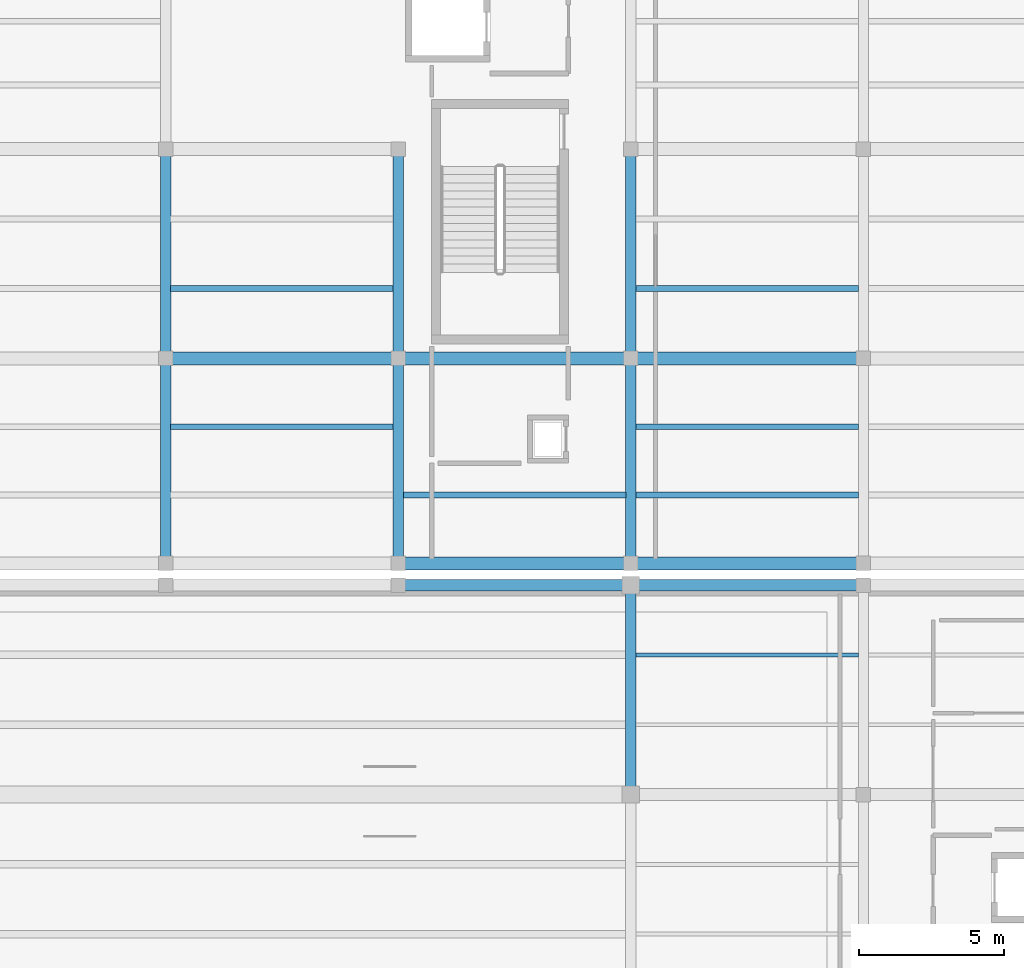
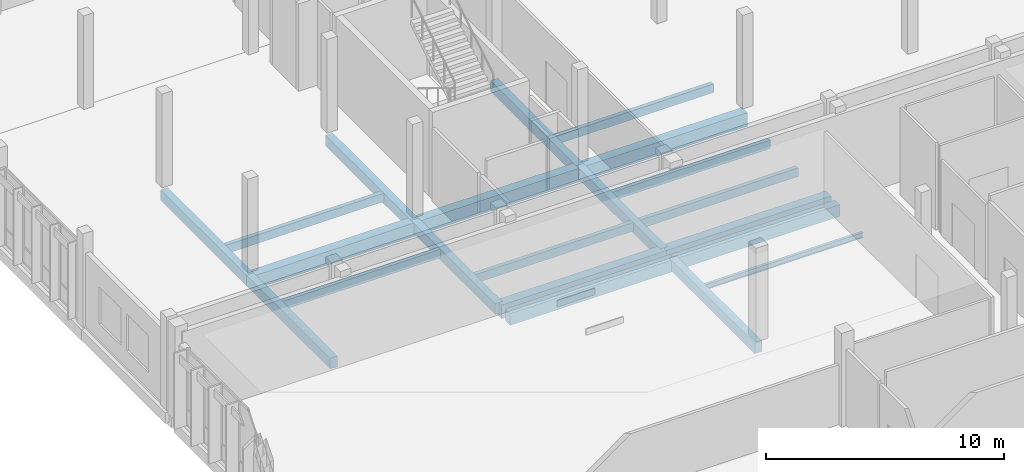
# One storey, part 33 of 177: 21 beams.
"""IFC4 building model written with IfcOpenShell, lengths in metres."""

from ifc_helpers import new_model, si_unit, direction, frame, origin, origin_2d, place, context, subcontext, project, spatial, rectangle, i_section, extrude, material, material_profile, profile_set, type_object, element, save


model = new_model("IFC4")

# Units and contexts
model_context = context("Model", 3, precision=1e-05, world=origin(), true_north=direction((0.0, 1.0)))
body_context = subcontext(model_context, "Body", "Model", "MODEL_VIEW")
ifc_project = project(units=[si_unit("LENGTHUNIT", "METRE"), si_unit("AREAUNIT", "SQUARE_METRE"), si_unit("VOLUMEUNIT", "CUBIC_METRE"), si_unit("PLANEANGLEUNIT", "RADIAN"), si_unit("MASSUNIT", "GRAM", prefix="KILO")], contexts=[model_context])

# Site, building, storey
site_placement = place(None, origin())
site = spatial("IfcSite", under=ifc_project, at=site_placement, CompositionType="ELEMENT")
building_placement = place(site_placement, origin())
building = spatial("IfcBuilding", under=site, at=building_placement, Name="Chiffa Square Polytechnic", CompositionType="ELEMENT")
storey_placement = place(building_placement, frame((0.0, 0.0, 4.800048828125)))
storey = spatial("IfcBuildingStorey", under=building, at=storey_placement, Name="L01", CompositionType="ELEMENT", Elevation=4.800048828125)

# Beams
ifc_material_1 = material(Name="Concrete C35/45", Category="concrete")
ifc_material_profile_1 = material_profile(ifc_material_1, rectangle(XDim=0.35009765625, YDim=0.550048828125, at=origin_2d()), Name="RC 350x550")
ifc_profile_set_1 = profile_set([ifc_material_profile_1], Name="Concrete C35/45")
beam_type_1 = type_object("IfcBeamType", Name="BM-RC-350X550", PredefinedType="BEAM", material=ifc_profile_set_1)
beam_1_placement = place(storey_placement, frame((24.0, 28.800048828125, -0.554931640625), z_axis=(0.0, 1.0, 0.0), x_axis=(-1.0, 0.0, 0.0)))
element("IfcBeam", 1, at=beam_1_placement, inside=storey, type_object=beam_type_1, Name="Primary floor girder BM-V3-L01-Y-0240-0288", PredefinedType="BEAM", context=body_context, shape_type="SweptSolid", body=[
    extrude(rectangle(XDim=0.35009765625, YDim=0.550048828125, at=origin_2d()), origin(), (0.0, 0.0, 1.0), 7.199951171875),
])
beam_2_placement = place(storey_placement, frame((8.0, 36.75, -0.554931640625), z_axis=(0.0, 1.0, 0.0), x_axis=(-1.0, 0.0, 0.0)))
element("IfcBeam", 2, at=beam_2_placement, inside=storey, type_object=beam_type_1, Name="Primary floor girder BM-V6-L01-Y-0080-0368", PredefinedType="BEAM", context=body_context, shape_type="SweptSolid", body=[
    extrude(rectangle(XDim=0.35009765625, YDim=0.550048828125, at=origin_2d()), origin(), (0.0, 0.0, 1.0), 7.050048828125),
])
beam_3_placement = place(storey_placement, frame((8.0, 43.800048828125, -0.554931640625), z_axis=(0.0, 1.0, 0.0), x_axis=(-1.0, 0.0, 0.0)))
element("IfcBeam", 3, at=beam_3_placement, inside=storey, type_object=beam_type_1, Name="Primary floor girder BM-V6-L01-Y-0080-0438", PredefinedType="BEAM", context=body_context, shape_type="SweptSolid", body=[
    extrude(rectangle(XDim=0.35009765625, YDim=0.550048828125, at=origin_2d()), origin(), (0.0, 0.0, 1.0), 7.199951171875),
])
beam_4_placement = place(storey_placement, frame((16.0, 36.75, -0.554931640625), z_axis=(0.0, 1.0, 0.0), x_axis=(-1.0, 0.0, 0.0)))
element("IfcBeam", 4, at=beam_4_placement, inside=storey, type_object=beam_type_1, Name="Primary floor girder BM-V6-L01-Y-0160-0368", PredefinedType="BEAM", context=body_context, shape_type="SweptSolid", body=[
    extrude(rectangle(XDim=0.35009765625, YDim=0.550048828125, at=origin_2d()), origin(), (0.0, 0.0, 1.0), 7.050048828125),
])
beam_5_placement = place(storey_placement, frame((16.0, 43.800048828125, -0.554931640625), z_axis=(0.0, 1.0, 0.0), x_axis=(-1.0, 0.0, 0.0)))
element("IfcBeam", 5, at=beam_5_placement, inside=storey, type_object=beam_type_1, Name="Primary floor girder BM-V6-L01-Y-0160-0438", PredefinedType="BEAM", context=body_context, shape_type="SweptSolid", body=[
    extrude(rectangle(XDim=0.35009765625, YDim=0.550048828125, at=origin_2d()), origin(), (0.0, 0.0, 1.0), 7.199951171875),
])
beam_6_placement = place(storey_placement, frame((24.0, 36.75, -0.554931640625), z_axis=(0.0, 1.0, 0.0), x_axis=(-1.0, 0.0, 0.0)))
element("IfcBeam", 6, at=beam_6_placement, inside=storey, type_object=beam_type_1, Name="Primary floor girder BM-V6-L01-Y-0240-0368", PredefinedType="BEAM", context=body_context, shape_type="SweptSolid", body=[
    extrude(rectangle(XDim=0.35009765625, YDim=0.550048828125, at=origin_2d()), origin(), (0.0, 0.0, 1.0), 7.050048828125),
])
beam_7_placement = place(storey_placement, frame((24.0, 43.800048828125, -0.554931640625), z_axis=(0.0, 1.0, 0.0), x_axis=(-1.0, 0.0, 0.0)))
element("IfcBeam", 7, at=beam_7_placement, inside=storey, type_object=beam_type_1, Name="Primary floor girder BM-V6-L01-Y-0240-0438", PredefinedType="BEAM", context=body_context, shape_type="SweptSolid", body=[
    extrude(rectangle(XDim=0.35009765625, YDim=0.550048828125, at=origin_2d()), origin(), (0.0, 0.0, 1.0), 7.199951171875),
])
ifc_material_profile_2 = material_profile(ifc_material_1, rectangle(XDim=0.39990234375, YDim=0.60009765625, at=origin_2d()), Name="RC 400x600")
ifc_profile_set_2 = profile_set([ifc_material_profile_2], Name="Concrete C35/45")
beam_type_2 = type_object("IfcBeamType", Name="BM-RC-400X600", PredefinedType="BEAM", material=ifc_profile_set_2)
for number, where, z_axis, x_axis, name in (
    (8, (16.0, 36.0, -0.580078125), (1.0, 0.0, 0.0), (0.0, 1.0, 0.0), "Primary floor girder BM-V3-L01-X-0160-0360"),
    (9, (24.0, 36.0, -0.580078125), (1.0, 0.0, 0.0), (0.0, 1.0, 0.0), "Primary floor girder BM-V3-L01-X-0240-0360"),
):
    element("IfcBeam", number, at=place(storey_placement, frame(where, z_axis=z_axis, x_axis=x_axis)), inside=storey, type_object=beam_type_2, Name=name, PredefinedType="BEAM", context=body_context, shape_type="SweptSolid", body=[
        extrude(rectangle(XDim=0.39990234375, YDim=0.60009765625, at=origin_2d()), origin(), (0.0, 0.0, 1.0), 8.0),
    ])
ifc_material_profile_3 = material_profile(ifc_material_1, rectangle(XDim=0.449951171875, YDim=0.699951171875, at=origin_2d()), Name="RC 450x700")
ifc_profile_set_3 = profile_set([ifc_material_profile_3], Name="Concrete C35/45")
beam_type_3 = type_object("IfcBeamType", Name="BM-RC-450X700", PredefinedType="BEAM", material=ifc_profile_set_3)
for number, where, z_axis, x_axis, name in (
    (10, (16.0, 36.75, -0.630126953125), (1.0, 0.0, 0.0), (0.0, 1.0, 0.0), "Primary floor girder BM-V6-L01-X-0160-0368"),
    (11, (24.0, 36.75, -0.630126953125), (1.0, 0.0, 0.0), (0.0, 1.0, 0.0), "Primary floor girder BM-V6-L01-X-0240-0368"),
    (12, (8.0, 43.800048828125, -0.630126953125), (1.0, 0.0, 0.0), (0.0, 1.0, 0.0), "Primary floor girder BM-V6-L01-X-0080-0438"),
    (13, (16.0, 43.800048828125, -0.630126953125), (1.0, 0.0, 0.0), (0.0, 1.0, 0.0), "Primary floor girder BM-V6-L01-X-0160-0438"),
    (14, (24.0, 43.800048828125, -0.630126953125), (1.0, 0.0, 0.0), (0.0, 1.0, 0.0), "Primary floor girder BM-V6-L01-X-0240-0438"),
):
    element("IfcBeam", number, at=place(storey_placement, frame(where, z_axis=z_axis, x_axis=x_axis)), inside=storey, type_object=beam_type_3, Name=name, PredefinedType="BEAM", context=body_context, shape_type="SweptSolid", body=[
        extrude(rectangle(XDim=0.449951171875, YDim=0.699951171875, at=origin_2d()), origin(), (0.0, 0.0, 1.0), 8.0),
    ])
ifc_material_2 = material(Name="Glulam GL28h", Category="wood")
ifc_material_profile_4 = material_profile(ifc_material_2, rectangle(XDim=0.199951171875, YDim=0.43994140625, at=origin_2d()), Name="GL28h 200x440")
ifc_profile_set_4 = profile_set([ifc_material_profile_4], Name="Glulam GL28h")
beam_type_4 = type_object("IfcBeamType", Name="JST-GL-200X440", PredefinedType="JOIST", material=ifc_profile_set_4)
for number, where, z_axis, x_axis, name in (
    (15, (8.173095703125, 41.449951171875, -0.5), (1.0, 0.0, 0.0), (0.0, 1.0, 0.0), "Secondary floor joist JST-V6-L01-0080-0414"),
    (16, (8.173095703125, 46.199951171875, -0.5), (1.0, 0.0, 0.0), (0.0, 1.0, 0.0), "Secondary floor joist JST-V6-L01-0080-0462"),
    (17, (16.173095703125, 39.10009765625, -0.5), (1.0, 0.0, 0.0), (0.0, 1.0, 0.0), "Secondary floor joist JST-V6-L01-0160-0391"),
    (18, (24.173095703125, 39.10009765625, -0.5), (1.0, 0.0, 0.0), (0.0, 1.0, 0.0), "Secondary floor joist JST-V6-L01-0240-0391"),
    (19, (24.173095703125, 41.449951171875, -0.5), (1.0, 0.0, 0.0), (0.0, 1.0, 0.0), "Secondary floor joist JST-V6-L01-0240-0414"),
    (20, (24.173095703125, 46.199951171875, -0.5), (1.0, 0.0, 0.0), (0.0, 1.0, 0.0), "Secondary floor joist JST-V6-L01-0240-0462"),
):
    element("IfcBeam", number, at=place(storey_placement, frame(where, z_axis=z_axis, x_axis=x_axis)), inside=storey, type_object=beam_type_4, Name=name, PredefinedType="JOIST", context=body_context, shape_type="SweptSolid", body=[
        extrude(rectangle(XDim=0.199951171875, YDim=0.43994140625, at=origin_2d()), origin(), (0.0, 0.0, 1.0), 7.65380859375),
    ])
ifc_material_3 = material(Name="Steel S355", Category="steel")
ifc_material_profile_5 = material_profile(ifc_material_3, i_section(OverallWidth=0.135009765625, OverallDepth=0.27001953125, WebThickness=0.006591796875, FlangeThickness=0.01025390625, FilletRadius=0.014892578125, at=origin_2d()), Name="IPE 270")
ifc_profile_set_5 = profile_set([ifc_material_profile_5], Name="Steel S355")
beam_type_5 = type_object("IfcBeamType", Name="JST-STL-IPE270", PredefinedType="JOIST", material=ifc_profile_set_5)
beam_8_placement = place(storey_placement, frame((24.173095703125, 33.60009765625, -0.4150390625), z_axis=(1.0, 0.0, 0.0), x_axis=(0.0, 1.0, 0.0)))
element("IfcBeam", 21, at=beam_8_placement, inside=storey, type_object=beam_type_5, Name="Secondary floor joist JST-V3-L01-0240-0336", PredefinedType="JOIST", context=body_context, shape_type="SweptSolid", body=[
    extrude(i_section(OverallWidth=0.135009765625, OverallDepth=0.27001953125, WebThickness=0.006591796875, FlangeThickness=0.01025390625, FilletRadius=0.014892578125, at=origin_2d()), origin(), (0.0, 0.0, 1.0), 7.65380859375),
])

save(model, "model.ifc")
